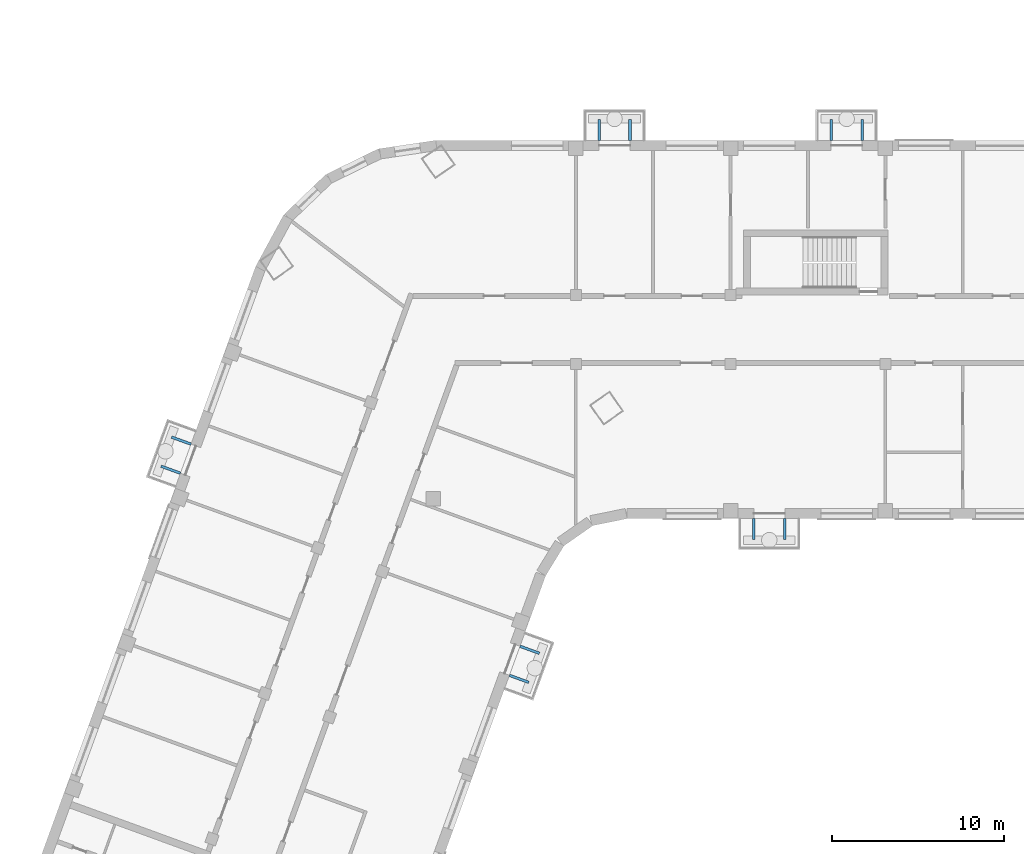
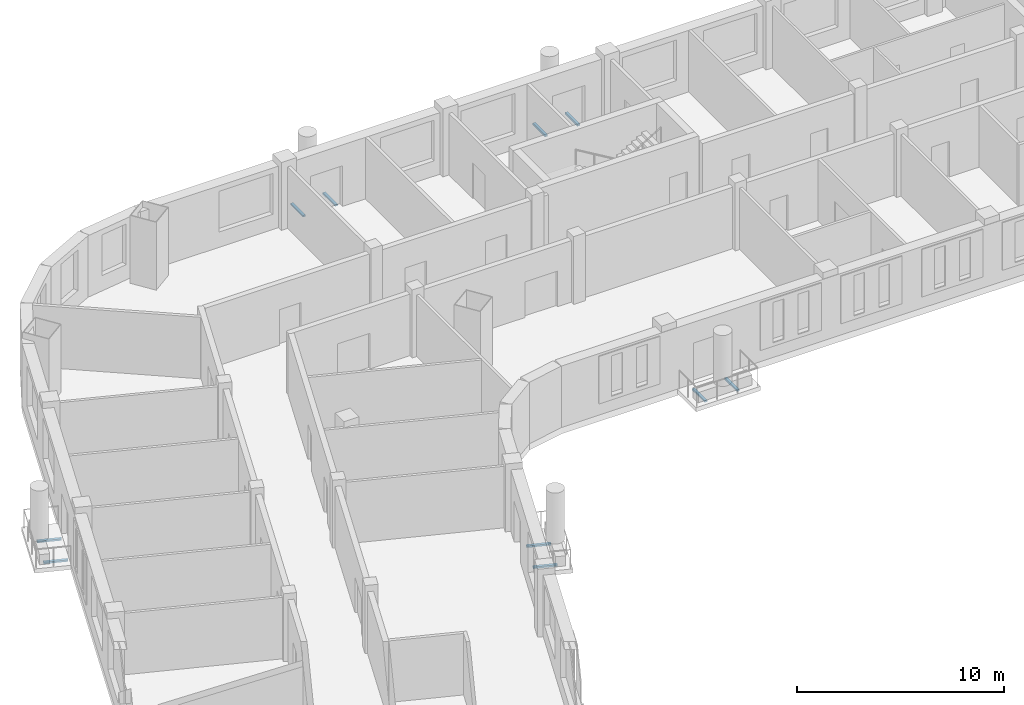
# One storey, part 12 of 16: 10 discrete accessories.
"""IFC4 building model written with IfcOpenShell, lengths in metres."""

from ifc_helpers import new_model, si_unit, direction, frame, origin, origin_2d, place, context, subcontext, project, spatial, rectangle, extrude, element, save


model = new_model("IFC4")

# Units and contexts
model_context = context("Model", 3, precision=1e-05, world=origin(), true_north=direction((0.0, 1.0)))
body_context = subcontext(model_context, "Body", "Model", "MODEL_VIEW")
ifc_project = project(units=[si_unit("LENGTHUNIT", "METRE"), si_unit("AREAUNIT", "SQUARE_METRE"), si_unit("VOLUMEUNIT", "CUBIC_METRE"), si_unit("PLANEANGLEUNIT", "RADIAN"), si_unit("MASSUNIT", "GRAM", prefix="KILO")], contexts=[model_context])

# Site, building, storey
site_placement = place(None, origin())
site = spatial("IfcSite", under=ifc_project, at=site_placement, CompositionType="ELEMENT")
building_placement = place(site_placement, origin())
building = spatial("IfcBuilding", under=site, at=building_placement, Name="Skarvind Civic Tower", CompositionType="ELEMENT")
storey_placement = place(building_placement, frame((0.0, 0.0, 81.0)))
storey = spatial("IfcBuildingStorey", under=building, at=storey_placement, Name="L18", CompositionType="ELEMENT", Elevation=81.0)

# Discrete accessories
for number, where, z_axis, x_axis, name in (
    (1, (51.56494140625, 109.373291015625, -0.35009765625), (0.0, 0.0, 1.0), (-0.342020143326, -0.939692620786, 0.0), "TREE BALCONY BRACKET"),
    (2, (50.94921875, 107.681884765625, -0.35009765625), (0.0, 0.0, 1.0), (-0.342020143326, -0.939692620786, 0.0), "TREE BALCONY BRACKET"),
    (3, (66.39990234375, 116.39990234375, -0.35009765625), (0.0, 0.0, 1.0), (-1.0, 0.0, 0.0), "TREE BALCONY BRACKET"),
    (4, (64.60009765625, 116.39990234375, -0.35009765625), (0.0, 0.0, 1.0), (-1.0, 0.0, 0.0), "TREE BALCONY BRACKET"),
    (5, (55.60009765625, 139.60009765625, -0.35009765625), (0.0, 0.0, 1.0), (1.0, 0.0, 0.0), "TREE BALCONY BRACKET"),
    (6, (57.39990234375, 139.60009765625, -0.35009765625), (0.0, 0.0, 1.0), (1.0, 0.0, 0.0), "TREE BALCONY BRACKET"),
    (7, (69.10009765625, 139.60009765625, -0.35009765625), (0.0, 0.0, 1.0), (1.0, 0.0, 0.0), "TREE BALCONY BRACKET"),
    (8, (70.89990234375, 139.60009765625, -0.35009765625), (0.0, 0.0, 1.0), (1.0, 0.0, 0.0), "TREE BALCONY BRACKET"),
    (9, (30.6875, 119.845458984375, -0.35009765625), (0.0, 0.0, 1.0), (0.342020143326, 0.939692620786, 0.0), "TREE BALCONY BRACKET"),
    (10, (31.30322265625, 121.536865234375, -0.35009765625), (0.0, 0.0, 1.0), (0.342020143326, 0.939692620786, 0.0), "TREE BALCONY BRACKET"),
):
    element("IfcDiscreteAccessory", number, at=place(storey_placement, frame(where, z_axis=z_axis, x_axis=x_axis)), inside=storey, Name=name, PredefinedType="BRACKET", context=body_context, shape_type="SweptSolid", body=[
        extrude(rectangle(XDim=0.14990234375, YDim=1.199951171875, at=origin_2d()), origin(), (0.0, 0.0, 1.0), 0.10009765625),
    ])

save(model, "model.ifc")
